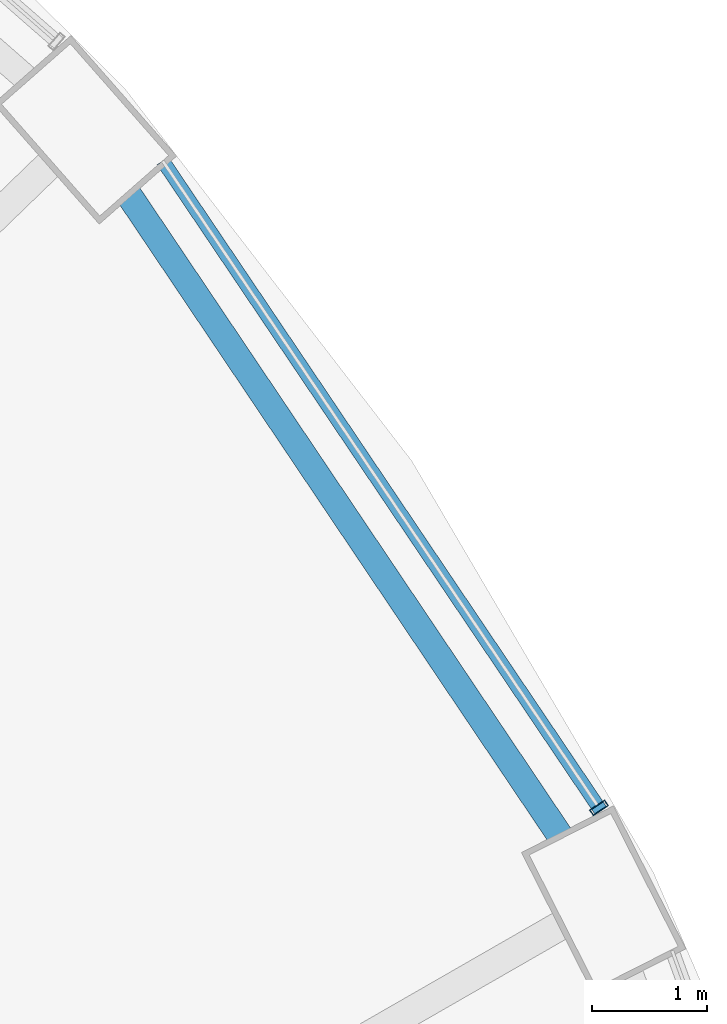
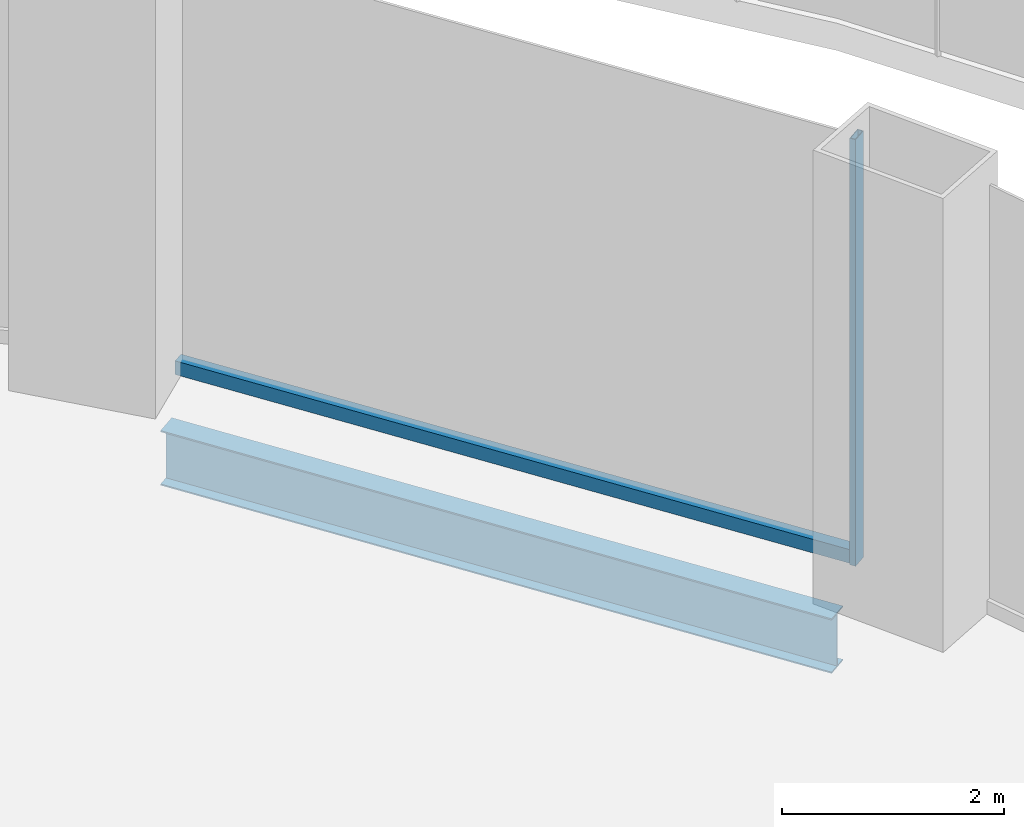
# One storey, part 23 of 47: 2 members, 1 beam, 1 element without a shape of its own.
"""IFC4 building model written with IfcOpenShell, lengths in metres."""

import ifcopenshell
import ifcopenshell.guid

model = None  # the IFC model being written
_history = None  # IfcOwnerHistory: only IFC2X3 demands one
_inside = {}  # id of a spatial element -> (the spatial element, [elements in it])
_under = {}  # id of a project, library or spatial element -> (it, [spatial elements below it])
_declared = {}  # id of a project -> (the project, [libraries it declares])
_typed = {}  # id of a type object -> (the type object, [elements of that type])
_made_of = {}  # id of a material, layer set ... -> (it, [elements and type objects made of it])


def new_model(schema):
    """Start an empty IFC model of exactly this schema.

    Asked for "IFC4X3", IfcOpenShell would pick the latest addendum, in which some entities
    have other attributes; the version numbers below select the first issue.
    IFC2X3 requires an IfcOwnerHistory on every rooted entity: one is made here for all.
    """
    global model, _history
    if schema == "IFC4X3":
        model = ifcopenshell.file(schema_version=(4, 3, 0, 0))
    else:
        model = ifcopenshell.file(schema=schema)
    _inside.clear()
    _under.clear()
    _declared.clear()
    _typed.clear()
    _made_of.clear()
    _history = None
    if model.schema == "IFC2X3":
        org = make("IfcOrganization", Name="unknown")
        user = make(
            "IfcPersonAndOrganization",
            ThePerson=make("IfcPerson", FamilyName="unknown"),
            TheOrganization=org,
        )
        app = make(
            "IfcApplication",
            ApplicationDeveloper=org,
            Version="unknown",
            ApplicationFullName="unknown",
            ApplicationIdentifier="unknown",
        )
        _history = make(
            "IfcOwnerHistory",
            OwningUser=user,
            OwningApplication=app,
            ChangeAction="ADDED",
            CreationDate=0,
        )
    return model


def make(cls, **values):
    """One entity of the class cls with the attributes given. An attribute that is None is left unset."""
    return model.create_entity(
        cls, **{name: value for name, value in values.items() if value is not None}
    )


def rooted(cls, **values):
    """An entity with a GlobalId (a new one), such as an element, a storey or a relation."""
    return make(cls, GlobalId=ifcopenshell.guid.new(), OwnerHistory=_history, **values)


def si_unit(unit_type, name, prefix=None):
    """IfcSIUnit, for example si_unit("LENGTHUNIT", "METRE", prefix="MILLI")."""
    return make("IfcSIUnit", UnitType=unit_type, Prefix=prefix, Name=name)


def assignment(units):
    """IfcUnitAssignment: the units of a project."""
    return None if units is None else make("IfcUnitAssignment", Units=units)


def point(xyz):
    """IfcCartesianPoint."""
    return None if xyz is None else make("IfcCartesianPoint", Coordinates=xyz)


def direction(xyz):
    """IfcDirection."""
    return None if xyz is None else make("IfcDirection", DirectionRatios=xyz)


def frame(location, z_axis=None, x_axis=None):
    """IfcAxis2Placement3D, a coordinate frame: its origin and axes. An axis left out is left unset."""
    return make(
        "IfcAxis2Placement3D",
        Location=point(location),
        Axis=direction(z_axis),
        RefDirection=direction(x_axis),
    )


def frame_2d(location, x_axis=None):
    """IfcAxis2Placement2D, a coordinate frame in the plane: its origin and x axis."""
    return make(
        "IfcAxis2Placement2D", Location=point(location), RefDirection=direction(x_axis)
    )


def origin():
    """The frame at (0, 0, 0) with its axes left unset."""
    return frame((0.0, 0.0, 0.0))


def origin_2d():
    """The frame at (0, 0) in the plane with its x axis left unset."""
    return frame_2d((0.0, 0.0))


def place(relative_to, where):
    """IfcLocalPlacement: puts the frame where relative to a parent placement (None: the world)."""
    return make(
        "IfcLocalPlacement", PlacementRelTo=relative_to, RelativePlacement=where
    )


def context(
    kind, dimensions, precision=None, world=None, true_north=None, identifier=None
):
    """IfcGeometricRepresentationContext, for example the 3D "Model" context."""
    return make(
        "IfcGeometricRepresentationContext",
        ContextIdentifier=identifier,
        ContextType=kind,
        CoordinateSpaceDimension=dimensions,
        Precision=precision,
        WorldCoordinateSystem=world,
        TrueNorth=true_north,
    )


def subcontext(parent, identifier, kind, view, scale=None):
    """IfcGeometricRepresentationSubContext, for example "Body" below "Model"."""
    return make(
        "IfcGeometricRepresentationSubContext",
        ContextIdentifier=identifier,
        ContextType=kind,
        ParentContext=parent,
        TargetScale=scale,
        TargetView=view,
    )


def project(units=None, contexts=None):
    """IfcProject with its units and contexts."""
    return rooted(
        "IfcProject",
        Name="project",
        RepresentationContexts=contexts,
        UnitsInContext=assignment(units),
    )


def spatial(cls, under=None, at=None, **own):
    """A site, building, storey or space (cls), placed at a placement, below another one or the project."""
    s = rooted(cls, ObjectPlacement=at, **own)
    if under is not None:
        _under.setdefault(under.id(), (under, []))[1].append(s)
    return s


def profile(cls, at=None, kind="AREA", **sizes):
    """A parametric profile (cls). Its sizes go by their IFC names, for example OverallWidth=200.0."""
    return make(cls, ProfileType=kind, Position=at, **sizes)


def hollow_rectangle(**sizes):
    """IfcRectangleHollowProfileDef."""
    return profile("IfcRectangleHollowProfileDef", **sizes)


def i_section(**sizes):
    """IfcIShapeProfileDef."""
    return profile("IfcIShapeProfileDef", **sizes)


def extrude(swept, where, along, depth):
    """IfcExtrudedAreaSolid: the profile swept, set in the frame where, extruded along a direction by depth."""
    return make(
        "IfcExtrudedAreaSolid",
        SweptArea=swept,
        Position=where,
        ExtrudedDirection=direction(along),
        Depth=depth,
    )


def shape(context_of_items, identifier, shape_type, items):
    """IfcShapeRepresentation: the items that make up one representation, for example the "Body"."""
    return make(
        "IfcShapeRepresentation",
        ContextOfItems=context_of_items,
        RepresentationIdentifier=identifier,
        RepresentationType=shape_type,
        Items=items,
    )


def material(Name=None, Category=None):
    """IfcMaterial."""
    return make("IfcMaterial", Name=Name, Category=Category)


def layer(
    of_material, thickness, ventilated=None, Name=None, Category=None, Priority=None
):
    """IfcMaterialLayer: one layer of a wall or slab, of a material (None: an air gap)."""
    return make(
        "IfcMaterialLayer",
        Material=of_material,
        LayerThickness=thickness,
        IsVentilated=ventilated,
        Name=Name,
        Category=Category,
        Priority=Priority,
    )


def layer_set(layers, Name=None):
    """IfcMaterialLayerSet."""
    return make("IfcMaterialLayerSet", MaterialLayers=layers, LayerSetName=Name)


def material_profile(
    of_material, cross_section, Name=None, Category=None, Priority=None
):
    """IfcMaterialProfile: a cross section and its material."""
    return make(
        "IfcMaterialProfile",
        Name=Name,
        Material=of_material,
        Profile=cross_section,
        Priority=Priority,
        Category=Category,
    )


def profile_set(profiles, Name=None, composite=None):
    """IfcMaterialProfileSet."""
    return make(
        "IfcMaterialProfileSet",
        Name=Name,
        MaterialProfiles=profiles,
        CompositeProfile=composite,
    )


def made_of(thing, what):
    """Note that an element or type object is made of a material, layer set ...; save() writes the relation."""
    if what is not None:
        _made_of.setdefault(what.id(), (what, []))[1].append(thing)
    return thing


def type_object(cls, material=None, **own):
    """A type object (cls), such as IfcWallType, which elements share."""
    return made_of(rooted(cls, **own), material)


def element(
    cls,
    number,
    at=None,
    inside=None,
    cuts=None,
    type_object=None,
    material=None,
    context=None,
    identifier="Body",
    shape_type=None,
    held_by="IfcProductDefinitionShape",
    body=None,
    shapes=None,
    **own,
):
    """One element of the class cls, such as IfcWall. Its Tag is "e" and its number.

    at: its placement. inside: the storey or other place that contains it. cuts: it is an
    opening in that element (IfcRelVoidsElement). A single representation is given by context,
    identifier, shape_type and body (its items); several are given by shapes. held_by: the class
    of the entity that holds the representations. save() writes the other relations.
    """
    e = rooted(cls, Tag="e%d" % number, ObjectPlacement=at, **own)
    if body is not None:
        shapes = [shape(context, identifier, shape_type, body)]
    if shapes is not None:
        e.Representation = make(held_by, Representations=shapes)
    if inside is not None:
        _inside.setdefault(inside.id(), (inside, []))[1].append(e)
    if cuts is not None:
        rooted(
            "IfcRelVoidsElement", RelatingBuildingElement=cuts, RelatedOpeningElement=e
        )
    if type_object is not None:
        _typed.setdefault(type_object.id(), (type_object, []))[1].append(e)
    return made_of(e, material)


def aggregate(whole, parts):
    """IfcRelAggregates: a whole, such as a stair, and the parts it consists of."""
    return rooted("IfcRelAggregates", RelatingObject=whole, RelatedObjects=parts)


def save(model, path):
    """Write the relations noted so far, then the file.

    IfcRelAggregates (storeys below a building ...), IfcRelContainedInSpatialStructure (elements
    in a storey), IfcRelDefinesByType, IfcRelAssociatesMaterial and IfcRelDeclares: one each for
    every whole, place, type object, material and project.
    """
    for whole, parts in _under.values():
        aggregate(whole, parts)
    for where, things in _inside.values():
        rooted(
            "IfcRelContainedInSpatialStructure",
            RelatedElements=things,
            RelatingStructure=where,
        )
    for kind, things in _typed.values():
        rooted("IfcRelDefinesByType", RelatedObjects=things, RelatingType=kind)
    for what, things in _made_of.values():
        rooted("IfcRelAssociatesMaterial", RelatedObjects=things, RelatingMaterial=what)
    for by, libraries in _declared.values():
        rooted("IfcRelDeclares", RelatingContext=by, RelatedDefinitions=libraries)
    model.write(path)


model = new_model("IFC4")

# Units and contexts
model_context = context("Model", 3, precision=1e-05, world=origin(), true_north=direction((0.0, 1.0)))
body_context = subcontext(model_context, "Body", "Model", "MODEL_VIEW")
ifc_project = project(units=[si_unit("LENGTHUNIT", "METRE"), si_unit("AREAUNIT", "SQUARE_METRE"), si_unit("VOLUMEUNIT", "CUBIC_METRE"), si_unit("PLANEANGLEUNIT", "RADIAN"), si_unit("MASSUNIT", "GRAM", prefix="KILO")], contexts=[model_context])

# Site, building, storey
site_placement = place(None, origin())
site = spatial("IfcSite", under=ifc_project, at=site_placement, CompositionType="ELEMENT")
building_placement = place(site_placement, origin())
building = spatial("IfcBuilding", under=site, at=building_placement, Name="Nagisa Residences", CompositionType="ELEMENT")
storey_placement = place(building_placement, frame((0.0, 0.0, 7.0)))
storey = spatial("IfcBuildingStorey", under=building, at=storey_placement, Name="L01", CompositionType="ELEMENT", Elevation=7.0)

# Curtain wall, members
ifc_material_1 = material(Name="Stainless steel curtain wall system", Category="steel")
ifc_layer = layer(ifc_material_1, 0.159912109375)
ifc_layer_set = layer_set([ifc_layer], Name="CW6 CURTAIN WALL")
curtain_wall_type = type_object("IfcCurtainWallType", Name="CW6 CURTAIN WALL", PredefinedType="NOTDEFINED", material=ifc_layer_set)
curtain_wall_placement = place(storey_placement, origin())
curtain_wall = element("IfcCurtainWall", 1, at=curtain_wall_placement, inside=storey, type_object=curtain_wall_type, Name="cw:CW6:L01:04", PredefinedType="NOTDEFINED")
ifc_material_2 = material(Name="Stainless steel", Category="steel")
ifc_material_profile_1 = material_profile(ifc_material_2, hollow_rectangle(XDim=0.159912109375, YDim=0.06005859375, WallThickness=0.006103515625, at=origin_2d()), Name="CW6 MULLION 160x60")
ifc_profile_set_1 = profile_set([ifc_material_profile_1], Name="Stainless steel")
member_type_1 = type_object("IfcMemberType", Name="CW6 MULLION 160x60", PredefinedType="MULLION", material=ifc_profile_set_1)
member_1_placement = place(storey_placement, frame((28.240234375, 17.060546875, 0.0), z_axis=(0.0, 0.0, 1.0), x_axis=(-0.829110926393, -0.559084136544, 0.0)))
member_1 = element("IfcMember", 2, at=member_1_placement, type_object=member_type_1, Name="CW6 mullion", PredefinedType="MULLION", context=body_context, shape_type="SweptSolid", body=[
    extrude(hollow_rectangle(XDim=0.159912109375, YDim=0.06005859375, WallThickness=0.006103515625, at=origin_2d()), origin(), (0.0, 0.0, 1.0), 4.699951171875),
])
ifc_material_3 = material(Name="Stainless steel", Category="steel")
ifc_material_profile_2 = material_profile(ifc_material_3, hollow_rectangle(XDim=0.1201171875, YDim=0.14990234375, WallThickness=0.008056640625, at=origin_2d()), Name="CW6 TRANSOM 120x150")
ifc_profile_set_2 = profile_set([ifc_material_profile_2], Name="Stainless steel")
member_type_2 = type_object("IfcMemberType", Name="CW6 TRANSOM 120x150", PredefinedType="USERDEFINED", material=ifc_profile_set_2)
member_2_placement = place(storey_placement, frame((28.257080078125, 17.03564453125, 0.074951171875), z_axis=(-0.559080645991, 0.829113280124, 0.0), x_axis=(-0.829113280124, -0.559080645991, 0.0)))
member_2 = element("IfcMember", 3, at=member_2_placement, type_object=member_type_2, Name="CW6 transom", ObjectType="TRANSOM", PredefinedType="USERDEFINED", context=body_context, shape_type="SweptSolid", body=[
    extrude(hollow_rectangle(XDim=0.1201171875, YDim=0.14990234375, WallThickness=0.008056640625, at=origin_2d()), origin(), (0.0, 0.0, 1.0), 6.84326171875),
])
aggregate(curtain_wall, [member_1, member_2])

# Beam
ifc_material_4 = material(Name="Steel ASTM A572 Gr 50", Category="steel")
ifc_material_profile_3 = material_profile(ifc_material_4, i_section(OverallWidth=0.22802734375, OverallDepth=0.60302734375, WebThickness=0.010498046875, FlangeThickness=0.014892578125, at=origin_2d()), Name="W610x101")
ifc_profile_set_3 = profile_set([ifc_material_profile_3], Name="Steel ASTM A572 Gr 50")
beam_type = type_object("IfcBeamType", Name="Perimeter ring beam W610x101", PredefinedType="BEAM", material=ifc_profile_set_3)
beam_placement = place(storey_placement, frame((27.899169921875, 16.818603515625, -0.6015625), z_axis=(-0.558271879663, 0.829658067144, 0.0), x_axis=(-0.829658067144, -0.558271879663, 0.0)))
element("IfcBeam", 4, at=beam_placement, inside=storey, type_object=beam_type, Name="beam:L01:pb03", PredefinedType="BEAM", context=body_context, shape_type="SweptSolid", body=[
    extrude(i_section(OverallWidth=0.22802734375, OverallDepth=0.60302734375, WebThickness=0.010498046875, FlangeThickness=0.014892578125, at=origin_2d()), origin(), (0.0, 0.0, 1.0), 6.74169921875),
])

save(model, "model.ifc")
